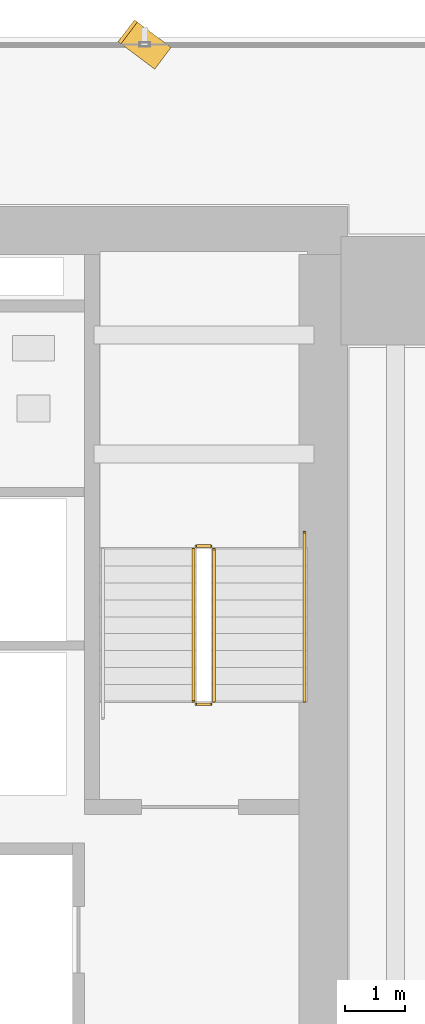
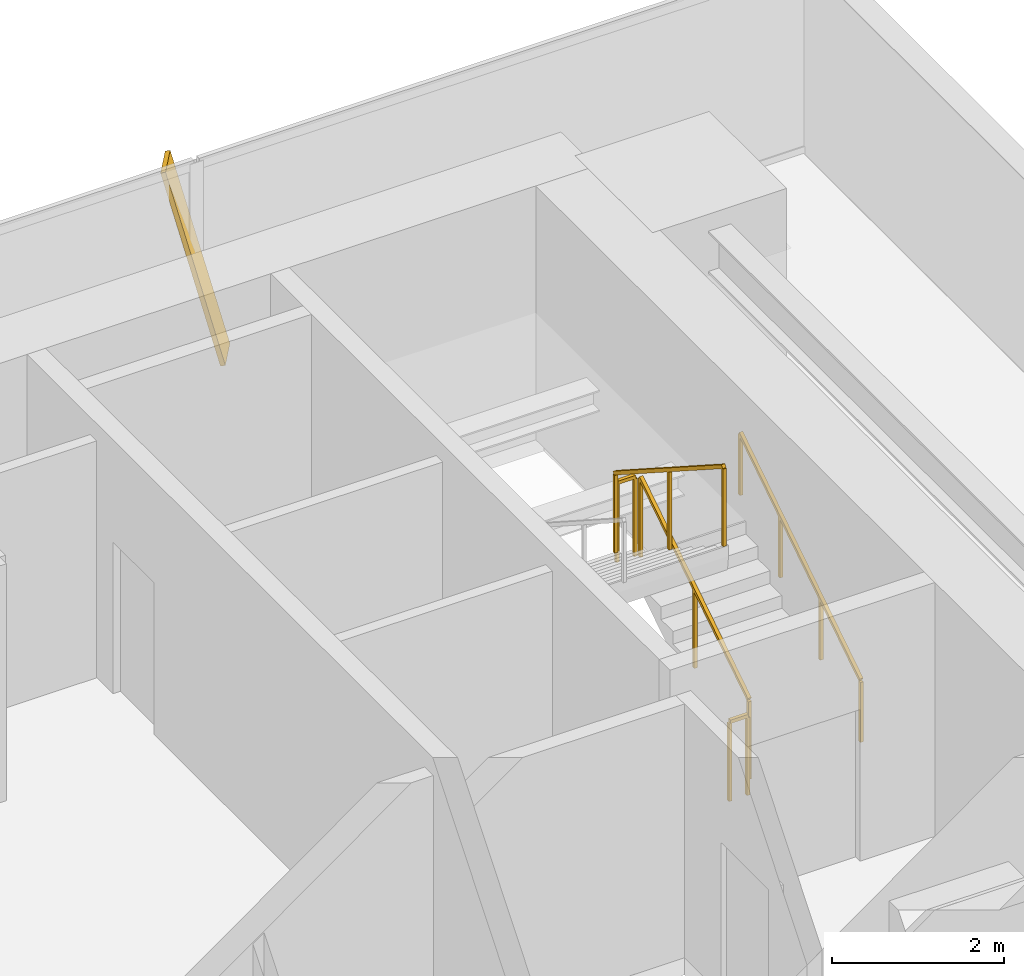
# One storey, part 31 of 32: 5 railings, 1 shading device.
"""IFC4 building model written with IfcOpenShell, lengths in metres."""

import ifcopenshell
import ifcopenshell.guid

model = None  # the IFC model being written
_history = None  # IfcOwnerHistory: only IFC2X3 demands one
_inside = {}  # id of a spatial element -> (the spatial element, [elements in it])
_under = {}  # id of a project, library or spatial element -> (it, [spatial elements below it])
_declared = {}  # id of a project -> (the project, [libraries it declares])
_typed = {}  # id of a type object -> (the type object, [elements of that type])
_made_of = {}  # id of a material, layer set ... -> (it, [elements and type objects made of it])


def new_model(schema):
    """Start an empty IFC model of exactly this schema.

    Asked for "IFC4X3", IfcOpenShell would pick the latest addendum, in which some entities
    have other attributes; the version numbers below select the first issue.
    IFC2X3 requires an IfcOwnerHistory on every rooted entity: one is made here for all.
    """
    global model, _history
    if schema == "IFC4X3":
        model = ifcopenshell.file(schema_version=(4, 3, 0, 0))
    else:
        model = ifcopenshell.file(schema=schema)
    _inside.clear()
    _under.clear()
    _declared.clear()
    _typed.clear()
    _made_of.clear()
    _history = None
    if model.schema == "IFC2X3":
        org = make("IfcOrganization", Name="unknown")
        user = make(
            "IfcPersonAndOrganization",
            ThePerson=make("IfcPerson", FamilyName="unknown"),
            TheOrganization=org,
        )
        app = make(
            "IfcApplication",
            ApplicationDeveloper=org,
            Version="unknown",
            ApplicationFullName="unknown",
            ApplicationIdentifier="unknown",
        )
        _history = make(
            "IfcOwnerHistory",
            OwningUser=user,
            OwningApplication=app,
            ChangeAction="ADDED",
            CreationDate=0,
        )
    return model


def make(cls, **values):
    """One entity of the class cls with the attributes given. An attribute that is None is left unset."""
    return model.create_entity(
        cls, **{name: value for name, value in values.items() if value is not None}
    )


def rooted(cls, **values):
    """An entity with a GlobalId (a new one), such as an element, a storey or a relation."""
    return make(cls, GlobalId=ifcopenshell.guid.new(), OwnerHistory=_history, **values)


def si_unit(unit_type, name, prefix=None):
    """IfcSIUnit, for example si_unit("LENGTHUNIT", "METRE", prefix="MILLI")."""
    return make("IfcSIUnit", UnitType=unit_type, Prefix=prefix, Name=name)


def assignment(units):
    """IfcUnitAssignment: the units of a project."""
    return None if units is None else make("IfcUnitAssignment", Units=units)


def point(xyz):
    """IfcCartesianPoint."""
    return None if xyz is None else make("IfcCartesianPoint", Coordinates=xyz)


def direction(xyz):
    """IfcDirection."""
    return None if xyz is None else make("IfcDirection", DirectionRatios=xyz)


def frame(location, z_axis=None, x_axis=None):
    """IfcAxis2Placement3D, a coordinate frame: its origin and axes. An axis left out is left unset."""
    return make(
        "IfcAxis2Placement3D",
        Location=point(location),
        Axis=direction(z_axis),
        RefDirection=direction(x_axis),
    )


def frame_2d(location, x_axis=None):
    """IfcAxis2Placement2D, a coordinate frame in the plane: its origin and x axis."""
    return make(
        "IfcAxis2Placement2D", Location=point(location), RefDirection=direction(x_axis)
    )


def origin():
    """The frame at (0, 0, 0) with its axes left unset."""
    return frame((0.0, 0.0, 0.0))


def origin_2d():
    """The frame at (0, 0) in the plane with its x axis left unset."""
    return frame_2d((0.0, 0.0))


def place(relative_to, where):
    """IfcLocalPlacement: puts the frame where relative to a parent placement (None: the world)."""
    return make(
        "IfcLocalPlacement", PlacementRelTo=relative_to, RelativePlacement=where
    )


def context(
    kind, dimensions, precision=None, world=None, true_north=None, identifier=None
):
    """IfcGeometricRepresentationContext, for example the 3D "Model" context."""
    return make(
        "IfcGeometricRepresentationContext",
        ContextIdentifier=identifier,
        ContextType=kind,
        CoordinateSpaceDimension=dimensions,
        Precision=precision,
        WorldCoordinateSystem=world,
        TrueNorth=true_north,
    )


def subcontext(parent, identifier, kind, view, scale=None):
    """IfcGeometricRepresentationSubContext, for example "Body" below "Model"."""
    return make(
        "IfcGeometricRepresentationSubContext",
        ContextIdentifier=identifier,
        ContextType=kind,
        ParentContext=parent,
        TargetScale=scale,
        TargetView=view,
    )


def project(units=None, contexts=None):
    """IfcProject with its units and contexts."""
    return rooted(
        "IfcProject",
        Name="project",
        RepresentationContexts=contexts,
        UnitsInContext=assignment(units),
    )


def spatial(cls, under=None, at=None, **own):
    """A site, building, storey or space (cls), placed at a placement, below another one or the project."""
    s = rooted(cls, ObjectPlacement=at, **own)
    if under is not None:
        _under.setdefault(under.id(), (under, []))[1].append(s)
    return s


def profile(cls, at=None, kind="AREA", **sizes):
    """A parametric profile (cls). Its sizes go by their IFC names, for example OverallWidth=200.0."""
    return make(cls, ProfileType=kind, Position=at, **sizes)


def rectangle(**sizes):
    """IfcRectangleProfileDef."""
    return profile("IfcRectangleProfileDef", **sizes)


def extrude(swept, where, along, depth):
    """IfcExtrudedAreaSolid: the profile swept, set in the frame where, extruded along a direction by depth."""
    return make(
        "IfcExtrudedAreaSolid",
        SweptArea=swept,
        Position=where,
        ExtrudedDirection=direction(along),
        Depth=depth,
    )


def shape(context_of_items, identifier, shape_type, items):
    """IfcShapeRepresentation: the items that make up one representation, for example the "Body"."""
    return make(
        "IfcShapeRepresentation",
        ContextOfItems=context_of_items,
        RepresentationIdentifier=identifier,
        RepresentationType=shape_type,
        Items=items,
    )


def source(mapping_origin, context_of_items, identifier, shape_type, items):
    """IfcRepresentationMap: a shape defined once, which mapped items show again and again."""
    return make(
        "IfcRepresentationMap",
        MappingOrigin=mapping_origin,
        MappedRepresentation=shape(context_of_items, identifier, shape_type, items),
    )


def transform(
    local_origin,
    x_axis=None,
    y_axis=None,
    z_axis=None,
    scale=None,
    scale2=None,
    scale3=None,
    uniform=True,
):
    """IfcCartesianTransformationOperator3D, or its non-uniform kind. x_axis, y_axis, z_axis: its Axis1, 2, 3."""
    if uniform:
        return make(
            "IfcCartesianTransformationOperator3D",
            Axis1=direction(x_axis),
            Axis2=direction(y_axis),
            LocalOrigin=point(local_origin),
            Scale=scale,
            Axis3=direction(z_axis),
        )
    return make(
        "IfcCartesianTransformationOperator3DnonUniform",
        Axis1=direction(x_axis),
        Axis2=direction(y_axis),
        LocalOrigin=point(local_origin),
        Scale=scale,
        Axis3=direction(z_axis),
        Scale2=scale2,
        Scale3=scale3,
    )


def mapped(mapping_source, mapping_target):
    """IfcMappedItem: shows the shape of a source again, moved by a transform."""
    return make(
        "IfcMappedItem", MappingSource=mapping_source, MappingTarget=mapping_target
    )


def material(Name=None, Category=None):
    """IfcMaterial."""
    return make("IfcMaterial", Name=Name, Category=Category)


def material_profile(
    of_material, cross_section, Name=None, Category=None, Priority=None
):
    """IfcMaterialProfile: a cross section and its material."""
    return make(
        "IfcMaterialProfile",
        Name=Name,
        Material=of_material,
        Profile=cross_section,
        Priority=Priority,
        Category=Category,
    )


def profile_set(profiles, Name=None, composite=None):
    """IfcMaterialProfileSet."""
    return make(
        "IfcMaterialProfileSet",
        Name=Name,
        MaterialProfiles=profiles,
        CompositeProfile=composite,
    )


def made_of(thing, what):
    """Note that an element or type object is made of a material, layer set ...; save() writes the relation."""
    if what is not None:
        _made_of.setdefault(what.id(), (what, []))[1].append(thing)
    return thing


def type_object(cls, material=None, **own):
    """A type object (cls), such as IfcWallType, which elements share."""
    return made_of(rooted(cls, **own), material)


def element(
    cls,
    number,
    at=None,
    inside=None,
    cuts=None,
    type_object=None,
    material=None,
    context=None,
    identifier="Body",
    shape_type=None,
    held_by="IfcProductDefinitionShape",
    body=None,
    shapes=None,
    **own,
):
    """One element of the class cls, such as IfcWall. Its Tag is "e" and its number.

    at: its placement. inside: the storey or other place that contains it. cuts: it is an
    opening in that element (IfcRelVoidsElement). A single representation is given by context,
    identifier, shape_type and body (its items); several are given by shapes. held_by: the class
    of the entity that holds the representations. save() writes the other relations.
    """
    e = rooted(cls, Tag="e%d" % number, ObjectPlacement=at, **own)
    if body is not None:
        shapes = [shape(context, identifier, shape_type, body)]
    if shapes is not None:
        e.Representation = make(held_by, Representations=shapes)
    if inside is not None:
        _inside.setdefault(inside.id(), (inside, []))[1].append(e)
    if cuts is not None:
        rooted(
            "IfcRelVoidsElement", RelatingBuildingElement=cuts, RelatedOpeningElement=e
        )
    if type_object is not None:
        _typed.setdefault(type_object.id(), (type_object, []))[1].append(e)
    return made_of(e, material)


def aggregate(whole, parts):
    """IfcRelAggregates: a whole, such as a stair, and the parts it consists of."""
    return rooted("IfcRelAggregates", RelatingObject=whole, RelatedObjects=parts)


def save(model, path):
    """Write the relations noted so far, then the file.

    IfcRelAggregates (storeys below a building ...), IfcRelContainedInSpatialStructure (elements
    in a storey), IfcRelDefinesByType, IfcRelAssociatesMaterial and IfcRelDeclares: one each for
    every whole, place, type object, material and project.
    """
    for whole, parts in _under.values():
        aggregate(whole, parts)
    for where, things in _inside.values():
        rooted(
            "IfcRelContainedInSpatialStructure",
            RelatedElements=things,
            RelatingStructure=where,
        )
    for kind, things in _typed.values():
        rooted("IfcRelDefinesByType", RelatedObjects=things, RelatingType=kind)
    for what, things in _made_of.values():
        rooted("IfcRelAssociatesMaterial", RelatedObjects=things, RelatingMaterial=what)
    for by, libraries in _declared.values():
        rooted("IfcRelDeclares", RelatingContext=by, RelatedDefinitions=libraries)
    model.write(path)


model = new_model("IFC4")

# Units and contexts
model_context = context("Model", 3, precision=1e-05, world=origin(), true_north=direction((0.0, 1.0)))
body_context = subcontext(model_context, "Body", "Model", "MODEL_VIEW")
ifc_project = project(units=[si_unit("LENGTHUNIT", "METRE"), si_unit("AREAUNIT", "SQUARE_METRE"), si_unit("VOLUMEUNIT", "CUBIC_METRE"), si_unit("PLANEANGLEUNIT", "RADIAN"), si_unit("MASSUNIT", "GRAM", prefix="KILO")], contexts=[model_context])

# Site, building, storey
site_placement = place(None, origin())
site = spatial("IfcSite", under=ifc_project, at=site_placement, CompositionType="ELEMENT")
building_placement = place(site_placement, origin())
building = spatial("IfcBuilding", under=site, at=building_placement, Name="Sumidabori Civic Tower", CompositionType="ELEMENT")
storey_placement = place(building_placement, frame((0.0, 0.0, 45.199951171875)))
storey = spatial("IfcBuildingStorey", under=building, at=storey_placement, Name="L11", CompositionType="ELEMENT", Elevation=45.199951171875)

# Railings
ifc_material_1 = material(Name="Stainless Steel Hairline Finish", Category="steel")
railing_type_1 = type_object("IfcRailingType", Name="RL-HANDRAIL", PredefinedType="HANDRAIL", material=ifc_material_1)
railing_1_placement = place(storey_placement, frame((15.2900390625, 16.0, 0.179931640625)))
element("IfcRailing", 1, at=railing_1_placement, inside=storey, type_object=railing_type_1, Name="L11 ST-2 stair handrail 1", PredefinedType="HANDRAIL", context=body_context, shape_type="SweptSolid", body=[
    extrude(rectangle(XDim=0.048095703125, YDim=0.048095703125, at=origin_2d()), frame((0.0, 0.0, 0.8759765625), z_axis=(0.0, 0.84064222762, 0.54159084662), x_axis=(-1.0, 0.0, 0.0)), (0.0, 0.0, 1.0), 3.330810546875),
    extrude(rectangle(XDim=0.0419921875, YDim=0.0419921875, at=origin_2d()), origin(), (0.0, 0.0, 1.0), 0.851806640625),
    extrude(rectangle(XDim=0.0419921875, YDim=0.0419921875, at=origin_2d()), frame((0.0, 0.933349609375, 0.601318359375)), (0.0, 0.0, 1.0), 0.851806640625),
    extrude(rectangle(XDim=0.0419921875, YDim=0.0419921875, at=origin_2d()), frame((0.0, 1.86669921875, 1.20263671875)), (0.0, 0.0, 1.0), 0.851806640625),
    extrude(rectangle(XDim=0.0419921875, YDim=0.0419921875, at=origin_2d()), frame((0.0, 2.800048828125, 1.803955078125)), (0.0, 0.0, 1.0), 0.851806640625),
])
ifc_material_2 = material(Name="Steel SN490", Category="steel")
railing_type_2 = type_object("IfcRailingType", Name="RL-STAIR-GUARD", PredefinedType="GUARDRAIL", material=ifc_material_2)
railing_2_placement = place(storey_placement, frame((13.7900390625, 16.0, 0.179931640625)))
element("IfcRailing", 2, at=railing_2_placement, inside=storey, type_object=railing_type_2, Name="L11 ST-2 stair guard 1", PredefinedType="GUARDRAIL", context=body_context, shape_type="SweptSolid", body=[
    extrude(rectangle(XDim=0.048095703125, YDim=0.048095703125, at=origin_2d()), frame((0.0, 0.0, 1.1259765625), z_axis=(0.0, 0.841162588446, 0.540782303519), x_axis=(-1.0, 0.0, 0.0)), (0.0, 0.0, 1.0), 2.995849609375),
    extrude(rectangle(XDim=0.0419921875, YDim=0.0419921875, at=origin_2d()), origin(), (0.0, 0.0, 1.0), 1.101806640625),
    extrude(rectangle(XDim=0.0419921875, YDim=0.0419921875, at=origin_2d()), frame((0.0, 1.260009765625, 0.81005859375)), (0.0, 0.0, 1.0), 1.101806640625),
    extrude(rectangle(XDim=0.0419921875, YDim=0.0419921875, at=origin_2d()), frame((0.0, 2.52001953125, 1.6201171875)), (0.0, 0.0, 1.0), 1.101806640625),
])
railing_3_placement = place(storey_placement, frame((13.739990234375, 18.570068359375, 1.800048828125)))
element("IfcRailing", 3, at=railing_3_placement, inside=storey, type_object=railing_type_2, Name="L11 ST-2 stair guard 2", PredefinedType="GUARDRAIL", context=body_context, shape_type="SweptSolid", body=[
    extrude(rectangle(XDim=0.048095703125, YDim=0.048095703125, at=origin_2d()), frame((0.0, 0.0, 1.1259765625), z_axis=(-1.0, 0.0, 0.0), x_axis=(0.0, -1.0, 0.0)), (0.0, 0.0, 1.0), 0.239990234375),
    extrude(rectangle(XDim=0.0419921875, YDim=0.0419921875, at=origin_2d()), origin(), (0.0, 0.0, 1.0), 1.101806640625),
    extrude(rectangle(XDim=0.0419921875, YDim=0.0419921875, at=origin_2d()), frame((-0.239990234375, 0.0, 0.0)), (0.0, 0.0, 1.0), 1.101806640625),
])
railing_4_placement = place(storey_placement, frame((13.449951171875, 18.52001953125, 1.97998046875)))
element("IfcRailing", 4, at=railing_4_placement, inside=storey, type_object=railing_type_2, Name="L11 ST-2 stair guard 3", PredefinedType="GUARDRAIL", context=body_context, shape_type="SweptSolid", body=[
    extrude(rectangle(XDim=0.048095703125, YDim=0.048095703125, at=origin_2d()), frame((0.0, 0.0, 1.1259765625), z_axis=(0.0, -0.841162588446, 0.540782303519), x_axis=(1.0, 0.0, 0.0)), (0.0, 0.0, 1.0), 2.995849609375),
    extrude(rectangle(XDim=0.0419921875, YDim=0.0419921875, at=origin_2d()), origin(), (0.0, 0.0, 1.0), 1.101806640625),
    extrude(rectangle(XDim=0.0419921875, YDim=0.0419921875, at=origin_2d()), frame((0.0, -1.260009765625, 0.81005859375)), (0.0, 0.0, 1.0), 1.101806640625),
    extrude(rectangle(XDim=0.0419921875, YDim=0.0419921875, at=origin_2d()), frame((0.0, -2.52001953125, 1.6201171875)), (0.0, 0.0, 1.0), 1.101806640625),
])
railing_5_placement = place(storey_placement, frame((13.739990234375, 15.949951171875, 0.0)))
element("IfcRailing", 5, at=railing_5_placement, inside=storey, type_object=railing_type_2, Name="L11 ST-2 stair guard 4", PredefinedType="GUARDRAIL", context=body_context, shape_type="SweptSolid", body=[
    extrude(rectangle(XDim=0.048095703125, YDim=0.048095703125, at=origin_2d()), frame((0.0, 0.0, 1.1259765625), z_axis=(-1.0, 0.0, 0.0), x_axis=(0.0, -1.0, 0.0)), (0.0, 0.0, 1.0), 0.239990234375),
    extrude(rectangle(XDim=0.0419921875, YDim=0.0419921875, at=origin_2d()), origin(), (0.0, 0.0, 1.0), 1.101806640625),
    extrude(rectangle(XDim=0.0419921875, YDim=0.0419921875, at=origin_2d()), frame((-0.239990234375, 0.0, 0.0)), (0.0, 0.0, 1.0), 1.101806640625),
])

# Shading device
ifc_material_3 = material(Name="Anodised Bronze Aluminium AW-6063-T6", Category="aluminium")
ifc_material_profile = material_profile(ifc_material_3, rectangle(XDim=0.06005859375, YDim=0.449951171875, at=origin_2d()), Name="BRONZE FIN 450x60")
ifc_profile_set = profile_set([ifc_material_profile], Name="Anodised Bronze Aluminium AW-6063-T6")
shading_device_type = type_object("IfcShadingDeviceType", Name="SH-FIN-450", PredefinedType="USERDEFINED", material=ifc_profile_set)
shared_shape = source(origin(), body_context, "Body", "SweptSolid", [
    extrude(rectangle(XDim=0.06005859375, YDim=0.449951171875, at=origin_2d()), origin(), (0.0, 0.0, 1.0), 2.769775390625),
])
shading_device_placement = place(storey_placement, frame((12.922119140625, 26.669921875, 0.02001953125), z_axis=(-0.202195931323, 0.151691019096, 0.967526041035), x_axis=(0.773939855131, -0.580623579198, 0.252771358975)))
element("IfcShadingDevice", 6, at=shading_device_placement, inside=storey, type_object=shading_device_type, Name="Bronze Anodised Diagonal Fin L11-01", ObjectType="FIN", PredefinedType="USERDEFINED", context=body_context, shape_type="MappedRepresentation", body=[
    mapped(shared_shape, transform((0.0, 0.0, 0.0), x_axis=(1.0, 0.0, 0.0), y_axis=(0.0, 1.0, 0.0), z_axis=(0.0, 0.0, 1.0), scale=1.0)),
])

save(model, "model.ifc")
